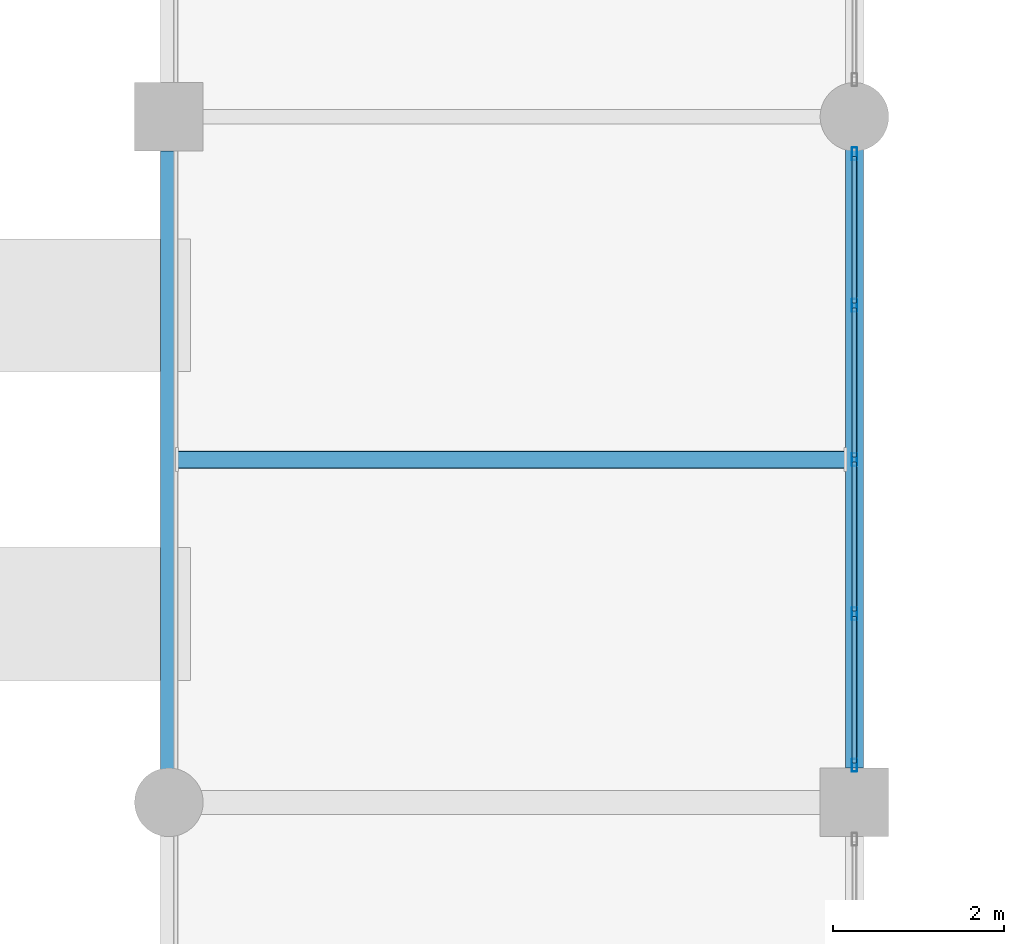
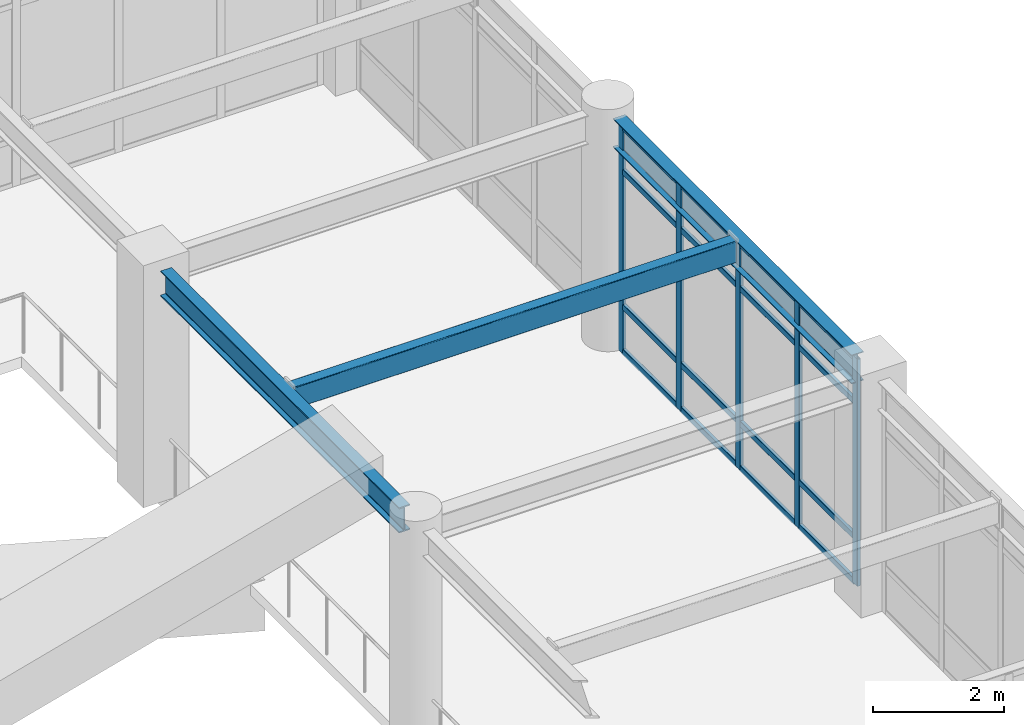
# One storey, part 30 of 93: 21 members, 3 beams, 1 element without a shape of its own.
"""IFC4 building model written with IfcOpenShell, lengths in metres."""

from ifc_helpers import new_model, si_unit, direction, frame, origin, origin_2d, place, context, subcontext, project, spatial, hollow_rectangle, i_section, extrude, material, material_profile, profile_set, type_object, element, aggregate, save


model = new_model("IFC4")

# Units and contexts
model_context = context("Model", 3, precision=1e-05, world=origin(), true_north=direction((0.0, 1.0)))
body_context = subcontext(model_context, "Body", "Model", "MODEL_VIEW")
ifc_project = project(units=[si_unit("LENGTHUNIT", "METRE"), si_unit("AREAUNIT", "SQUARE_METRE"), si_unit("VOLUMEUNIT", "CUBIC_METRE"), si_unit("PLANEANGLEUNIT", "RADIAN"), si_unit("MASSUNIT", "GRAM", prefix="KILO")], contexts=[model_context])

# Site, building, storey
site_placement = place(None, origin())
site = spatial("IfcSite", under=ifc_project, at=site_placement, CompositionType="ELEMENT")
building_placement = place(site_placement, origin())
building = spatial("IfcBuilding", under=site, at=building_placement, Name="Solmirada Galleria", CompositionType="ELEMENT")
storey_placement = place(building_placement, frame((0.0, 0.0, 14.89990234375)))
storey = spatial("IfcBuildingStorey", under=building, at=storey_placement, Name="L03", CompositionType="ELEMENT", Elevation=14.89990234375)

# Beams
ifc_material_1 = material(Name="Steel S355 / ASTM A992 Grade 50", Category="steel")
ifc_material_profile_1 = material_profile(ifc_material_1, i_section(OverallWidth=0.194091796875, OverallDepth=0.468994140625, WebThickness=0.0126953125, FlangeThickness=0.0205078125, FilletRadius=0.013916015625, at=origin_2d()), Name="W18X71")
ifc_profile_set_1 = profile_set([ifc_material_profile_1], Name="Steel S355 / ASTM A992 Grade 50")
beam_type_1 = type_object("IfcBeamType", Name="BM-GIRD-W18B", PredefinedType="BEAM", material=ifc_profile_set_1)
beam_1_placement = place(storey_placement, frame((104.0, 56.3359375, 4.065673828125), z_axis=(0.0, 1.0, 0.0), x_axis=(-1.0, 0.0, 0.0)))
element("IfcBeam", 1, at=beam_1_placement, inside=storey, type_object=beam_type_1, Name="Primary girder L04 Y(104, 56..64)", PredefinedType="BEAM", context=body_context, shape_type="SweptSolid", body=[
    extrude(i_section(OverallWidth=0.194091796875, OverallDepth=0.468994140625, WebThickness=0.0126953125, FlangeThickness=0.0205078125, FilletRadius=0.013916015625, at=origin_2d()), origin(), (0.0, 0.0, 1.0), 7.26416015625),
])
ifc_material_profile_2 = material_profile(ifc_material_1, i_section(OverallWidth=0.2099609375, OverallDepth=0.537109375, WebThickness=0.010986328125, FlangeThickness=0.017333984375, FilletRadius=0.014892578125, at=origin_2d()), Name="W21X68")
ifc_profile_set_2 = profile_set([ifc_material_profile_2], Name="Steel S355 / ASTM A992 Grade 50")
beam_type_2 = type_object("IfcBeamType", Name="BM-GIRD-W21B", PredefinedType="BEAM", material=ifc_profile_set_2)
beam_2_placement = place(storey_placement, frame((112.0, 56.39990234375, 4.031494140625), z_axis=(0.0, 1.0, 0.0), x_axis=(-1.0, 0.0, 0.0)))
element("IfcBeam", 2, at=beam_2_placement, inside=storey, type_object=beam_type_2, Name="Primary girder L04 Y(112, 56..64)", PredefinedType="BEAM", context=body_context, shape_type="SweptSolid", body=[
    extrude(i_section(OverallWidth=0.2099609375, OverallDepth=0.537109375, WebThickness=0.010986328125, FlangeThickness=0.017333984375, FilletRadius=0.014892578125, at=origin_2d()), origin(), (0.0, 0.0, 1.0), 7.26416015625),
])
ifc_material_2 = material(Name="Steel S355 / ASTM A500 Grade C", Category="steel")
ifc_material_profile_3 = material_profile(ifc_material_2, hollow_rectangle(XDim=0.202880859375, YDim=0.406005859375, WallThickness=0.01171875, InnerFilletRadius=0.01171875, OuterFilletRadius=0.023681640625, at=origin_2d()), Name="HSS16X8X1/2")
ifc_profile_set_3 = profile_set([ifc_material_profile_3], Name="Steel S355 / ASTM A500 Grade C")
beam_type_3 = type_object("IfcBeamType", Name="BM-JST-W16B", PredefinedType="JOIST", material=ifc_profile_set_3)
beam_3_placement = place(storey_placement, frame((104.096923828125, 60.0, 4.09716796875), z_axis=(1.0, 0.0, 0.0), x_axis=(0.0, 1.0, 0.0)))
element("IfcBeam", 3, at=beam_3_placement, inside=storey, type_object=beam_type_3, Name="Composite floor joist L04 (104..112, 60.0)", PredefinedType="JOIST", context=body_context, shape_type="SweptSolid", body=[
    extrude(hollow_rectangle(XDim=0.202880859375, YDim=0.406005859375, WallThickness=0.01171875, InnerFilletRadius=0.01171875, OuterFilletRadius=0.023681640625, at=origin_2d()), origin(), (0.0, 0.0, 1.0), 7.798095703125),
])

# Curtain wall, members
ifc_material_3 = material(Name="Impact-resistant low-E double glazing", Category="glass")
curtain_wall_type = type_object("IfcCurtainWallType", Name="CW-FZ3-L03-B4-L072", PredefinedType="NOTDEFINED", material=ifc_material_3)
curtain_wall_placement = place(storey_placement, origin())
curtain_wall = element("IfcCurtainWall", 4, at=curtain_wall_placement, inside=storey, type_object=curtain_wall_type, Name="Terrace and arcade storefront CW-L03-132", PredefinedType="NOTDEFINED")
ifc_material_4 = material(Name="Anodised aluminium framing", Category="aluminium")
ifc_material_profile_4 = material_profile(ifc_material_4, hollow_rectangle(XDim=0.06005859375, YDim=0.14990234375, WallThickness=0.00341796875, InnerFilletRadius=0.00341796875, OuterFilletRadius=0.007080078125, at=origin_2d()), Name="ALU-MULL-150X60")
ifc_profile_set_4 = profile_set([ifc_material_profile_4], Name="Anodised aluminium framing")
member_type_1 = type_object("IfcMemberType", Name="CW-MULL-150", PredefinedType="MULLION", material=ifc_profile_set_4)
member_1_placement = place(storey_placement, frame((112.0, 63.568115234375, 0.0), z_axis=(0.0, 0.0, 1.0), x_axis=(1.0, 0.0, 0.0)))
member_1 = element("IfcMember", 5, at=member_1_placement, type_object=member_type_1, Name="CW27 mullion 1", PredefinedType="MULLION", context=body_context, shape_type="SweptSolid", body=[
    extrude(hollow_rectangle(XDim=0.06005859375, YDim=0.14990234375, WallThickness=0.00341796875, InnerFilletRadius=0.00341796875, OuterFilletRadius=0.007080078125, at=origin_2d()), origin(), (0.0, 0.0, 1.0), 4.22021484375),
])
member_2_placement = place(storey_placement, frame((112.0, 61.799072265625, 0.0), z_axis=(0.0, 0.0, 1.0), x_axis=(1.0, 0.0, 0.0)))
member_2 = element("IfcMember", 6, at=member_2_placement, type_object=member_type_1, Name="CW27 mullion 2", PredefinedType="MULLION", context=body_context, shape_type="SweptSolid", body=[
    extrude(hollow_rectangle(XDim=0.06005859375, YDim=0.14990234375, WallThickness=0.00341796875, InnerFilletRadius=0.00341796875, OuterFilletRadius=0.007080078125, at=origin_2d()), origin(), (0.0, 0.0, 1.0), 4.22021484375),
])
member_3_placement = place(storey_placement, frame((112.0, 60.0, 0.0), z_axis=(0.0, 0.0, 1.0), x_axis=(1.0, 0.0, 0.0)))
member_3 = element("IfcMember", 7, at=member_3_placement, type_object=member_type_1, Name="CW27 mullion 3", PredefinedType="MULLION", context=body_context, shape_type="SweptSolid", body=[
    extrude(hollow_rectangle(XDim=0.06005859375, YDim=0.14990234375, WallThickness=0.00341796875, InnerFilletRadius=0.00341796875, OuterFilletRadius=0.007080078125, at=origin_2d()), origin(), (0.0, 0.0, 1.0), 4.22021484375),
])
member_4_placement = place(storey_placement, frame((112.0, 58.200927734375, 0.0), z_axis=(0.0, 0.0, 1.0), x_axis=(1.0, 0.0, 0.0)))
member_4 = element("IfcMember", 8, at=member_4_placement, type_object=member_type_1, Name="CW27 mullion 4", PredefinedType="MULLION", context=body_context, shape_type="SweptSolid", body=[
    extrude(hollow_rectangle(XDim=0.06005859375, YDim=0.14990234375, WallThickness=0.00341796875, InnerFilletRadius=0.00341796875, OuterFilletRadius=0.007080078125, at=origin_2d()), origin(), (0.0, 0.0, 1.0), 4.22021484375),
])
member_5_placement = place(storey_placement, frame((112.0, 56.431884765625, 0.0), z_axis=(0.0, 0.0, 1.0), x_axis=(1.0, 0.0, 0.0)))
member_5 = element("IfcMember", 9, at=member_5_placement, type_object=member_type_1, Name="CW27 mullion 5", PredefinedType="MULLION", context=body_context, shape_type="SweptSolid", body=[
    extrude(hollow_rectangle(XDim=0.06005859375, YDim=0.14990234375, WallThickness=0.00341796875, InnerFilletRadius=0.00341796875, OuterFilletRadius=0.007080078125, at=origin_2d()), origin(), (0.0, 0.0, 1.0), 4.22021484375),
])
ifc_material_profile_5 = material_profile(ifc_material_4, hollow_rectangle(XDim=0.06005859375, YDim=0.110107421875, WallThickness=0.003173828125, InnerFilletRadius=0.003173828125, OuterFilletRadius=0.00634765625, at=origin_2d()), Name="ALU-TRAN-110X60")
ifc_profile_set_5 = profile_set([ifc_material_profile_5], Name="Anodised aluminium framing")
member_type_2 = type_object("IfcMemberType", Name="CW-TRAN-110", PredefinedType="USERDEFINED", material=ifc_profile_set_5)
member_6_placement = place(storey_placement, frame((112.0, 63.5380859375, 0.030029296875), z_axis=(0.0, -1.0, 0.0), x_axis=(1.0, 0.0, 0.0)))
member_6 = element("IfcMember", 10, at=member_6_placement, type_object=member_type_2, Name="CW27 transom 1.1", ObjectType="TRANSOM", PredefinedType="USERDEFINED", context=body_context, shape_type="SweptSolid", body=[
    extrude(hollow_rectangle(XDim=0.06005859375, YDim=0.110107421875, WallThickness=0.003173828125, InnerFilletRadius=0.003173828125, OuterFilletRadius=0.00634765625, at=origin_2d()), origin(), (0.0, 0.0, 1.0), 1.708984375),
])
member_7_placement = place(storey_placement, frame((112.0, 63.5380859375, 0.860107421875), z_axis=(0.0, -1.0, 0.0), x_axis=(1.0, 0.0, 0.0)))
member_7 = element("IfcMember", 11, at=member_7_placement, type_object=member_type_2, Name="CW27 transom 1.2", ObjectType="TRANSOM", PredefinedType="USERDEFINED", context=body_context, shape_type="SweptSolid", body=[
    extrude(hollow_rectangle(XDim=0.06005859375, YDim=0.110107421875, WallThickness=0.003173828125, InnerFilletRadius=0.003173828125, OuterFilletRadius=0.00634765625, at=origin_2d()), origin(), (0.0, 0.0, 1.0), 1.708984375),
])
member_8_placement = place(storey_placement, frame((112.0, 63.5380859375, 3.3701171875), z_axis=(0.0, -1.0, 0.0), x_axis=(1.0, 0.0, 0.0)))
member_8 = element("IfcMember", 12, at=member_8_placement, type_object=member_type_2, Name="CW27 transom 1.3", ObjectType="TRANSOM", PredefinedType="USERDEFINED", context=body_context, shape_type="SweptSolid", body=[
    extrude(hollow_rectangle(XDim=0.06005859375, YDim=0.110107421875, WallThickness=0.003173828125, InnerFilletRadius=0.003173828125, OuterFilletRadius=0.00634765625, at=origin_2d()), origin(), (0.0, 0.0, 1.0), 1.708984375),
])
member_9_placement = place(storey_placement, frame((112.0, 63.5380859375, 4.190185546875), z_axis=(0.0, -1.0, 0.0), x_axis=(1.0, 0.0, 0.0)))
member_9 = element("IfcMember", 13, at=member_9_placement, type_object=member_type_2, Name="CW27 transom 1.4", ObjectType="TRANSOM", PredefinedType="USERDEFINED", context=body_context, shape_type="SweptSolid", body=[
    extrude(hollow_rectangle(XDim=0.06005859375, YDim=0.110107421875, WallThickness=0.003173828125, InnerFilletRadius=0.003173828125, OuterFilletRadius=0.00634765625, at=origin_2d()), origin(), (0.0, 0.0, 1.0), 1.708984375),
])
member_10_placement = place(storey_placement, frame((112.0, 61.76904296875, 0.030029296875), z_axis=(0.0, -1.0, 0.0), x_axis=(1.0, 0.0, 0.0)))
member_10 = element("IfcMember", 14, at=member_10_placement, type_object=member_type_2, Name="CW27 transom 2.1", ObjectType="TRANSOM", PredefinedType="USERDEFINED", context=body_context, shape_type="SweptSolid", body=[
    extrude(hollow_rectangle(XDim=0.06005859375, YDim=0.110107421875, WallThickness=0.003173828125, InnerFilletRadius=0.003173828125, OuterFilletRadius=0.00634765625, at=origin_2d()), origin(), (0.0, 0.0, 1.0), 1.739013671875),
])
member_11_placement = place(storey_placement, frame((112.0, 61.76904296875, 0.860107421875), z_axis=(0.0, -1.0, 0.0), x_axis=(1.0, 0.0, 0.0)))
member_11 = element("IfcMember", 15, at=member_11_placement, type_object=member_type_2, Name="CW27 transom 2.2", ObjectType="TRANSOM", PredefinedType="USERDEFINED", context=body_context, shape_type="SweptSolid", body=[
    extrude(hollow_rectangle(XDim=0.06005859375, YDim=0.110107421875, WallThickness=0.003173828125, InnerFilletRadius=0.003173828125, OuterFilletRadius=0.00634765625, at=origin_2d()), origin(), (0.0, 0.0, 1.0), 1.739013671875),
])
member_12_placement = place(storey_placement, frame((112.0, 61.76904296875, 3.3701171875), z_axis=(0.0, -1.0, 0.0), x_axis=(1.0, 0.0, 0.0)))
member_12 = element("IfcMember", 16, at=member_12_placement, type_object=member_type_2, Name="CW27 transom 2.3", ObjectType="TRANSOM", PredefinedType="USERDEFINED", context=body_context, shape_type="SweptSolid", body=[
    extrude(hollow_rectangle(XDim=0.06005859375, YDim=0.110107421875, WallThickness=0.003173828125, InnerFilletRadius=0.003173828125, OuterFilletRadius=0.00634765625, at=origin_2d()), origin(), (0.0, 0.0, 1.0), 1.739013671875),
])
member_13_placement = place(storey_placement, frame((112.0, 61.76904296875, 4.190185546875), z_axis=(0.0, -1.0, 0.0), x_axis=(1.0, 0.0, 0.0)))
member_13 = element("IfcMember", 17, at=member_13_placement, type_object=member_type_2, Name="CW27 transom 2.4", ObjectType="TRANSOM", PredefinedType="USERDEFINED", context=body_context, shape_type="SweptSolid", body=[
    extrude(hollow_rectangle(XDim=0.06005859375, YDim=0.110107421875, WallThickness=0.003173828125, InnerFilletRadius=0.003173828125, OuterFilletRadius=0.00634765625, at=origin_2d()), origin(), (0.0, 0.0, 1.0), 1.739013671875),
])
member_14_placement = place(storey_placement, frame((112.0, 59.969970703125, 0.030029296875), z_axis=(0.0, -1.0, 0.0), x_axis=(1.0, 0.0, 0.0)))
member_14 = element("IfcMember", 18, at=member_14_placement, type_object=member_type_2, Name="CW27 transom 3.1", ObjectType="TRANSOM", PredefinedType="USERDEFINED", context=body_context, shape_type="SweptSolid", body=[
    extrude(hollow_rectangle(XDim=0.06005859375, YDim=0.110107421875, WallThickness=0.003173828125, InnerFilletRadius=0.003173828125, OuterFilletRadius=0.00634765625, at=origin_2d()), origin(), (0.0, 0.0, 1.0), 1.739013671875),
])
member_15_placement = place(storey_placement, frame((112.0, 59.969970703125, 0.860107421875), z_axis=(0.0, -1.0, 0.0), x_axis=(1.0, 0.0, 0.0)))
member_15 = element("IfcMember", 19, at=member_15_placement, type_object=member_type_2, Name="CW27 transom 3.2", ObjectType="TRANSOM", PredefinedType="USERDEFINED", context=body_context, shape_type="SweptSolid", body=[
    extrude(hollow_rectangle(XDim=0.06005859375, YDim=0.110107421875, WallThickness=0.003173828125, InnerFilletRadius=0.003173828125, OuterFilletRadius=0.00634765625, at=origin_2d()), origin(), (0.0, 0.0, 1.0), 1.739013671875),
])
member_16_placement = place(storey_placement, frame((112.0, 59.969970703125, 3.3701171875), z_axis=(0.0, -1.0, 0.0), x_axis=(1.0, 0.0, 0.0)))
member_16 = element("IfcMember", 20, at=member_16_placement, type_object=member_type_2, Name="CW27 transom 3.3", ObjectType="TRANSOM", PredefinedType="USERDEFINED", context=body_context, shape_type="SweptSolid", body=[
    extrude(hollow_rectangle(XDim=0.06005859375, YDim=0.110107421875, WallThickness=0.003173828125, InnerFilletRadius=0.003173828125, OuterFilletRadius=0.00634765625, at=origin_2d()), origin(), (0.0, 0.0, 1.0), 1.739013671875),
])
member_17_placement = place(storey_placement, frame((112.0, 59.969970703125, 4.190185546875), z_axis=(0.0, -1.0, 0.0), x_axis=(1.0, 0.0, 0.0)))
member_17 = element("IfcMember", 21, at=member_17_placement, type_object=member_type_2, Name="CW27 transom 3.4", ObjectType="TRANSOM", PredefinedType="USERDEFINED", context=body_context, shape_type="SweptSolid", body=[
    extrude(hollow_rectangle(XDim=0.06005859375, YDim=0.110107421875, WallThickness=0.003173828125, InnerFilletRadius=0.003173828125, OuterFilletRadius=0.00634765625, at=origin_2d()), origin(), (0.0, 0.0, 1.0), 1.739013671875),
])
member_18_placement = place(storey_placement, frame((112.0, 58.1708984375, 0.030029296875), z_axis=(0.0, -1.0, 0.0), x_axis=(1.0, 0.0, 0.0)))
member_18 = element("IfcMember", 22, at=member_18_placement, type_object=member_type_2, Name="CW27 transom 4.1", ObjectType="TRANSOM", PredefinedType="USERDEFINED", context=body_context, shape_type="SweptSolid", body=[
    extrude(hollow_rectangle(XDim=0.06005859375, YDim=0.110107421875, WallThickness=0.003173828125, InnerFilletRadius=0.003173828125, OuterFilletRadius=0.00634765625, at=origin_2d()), origin(), (0.0, 0.0, 1.0), 1.708984375),
])
member_19_placement = place(storey_placement, frame((112.0, 58.1708984375, 0.860107421875), z_axis=(0.0, -1.0, 0.0), x_axis=(1.0, 0.0, 0.0)))
member_19 = element("IfcMember", 23, at=member_19_placement, type_object=member_type_2, Name="CW27 transom 4.2", ObjectType="TRANSOM", PredefinedType="USERDEFINED", context=body_context, shape_type="SweptSolid", body=[
    extrude(hollow_rectangle(XDim=0.06005859375, YDim=0.110107421875, WallThickness=0.003173828125, InnerFilletRadius=0.003173828125, OuterFilletRadius=0.00634765625, at=origin_2d()), origin(), (0.0, 0.0, 1.0), 1.708984375),
])
member_20_placement = place(storey_placement, frame((112.0, 58.1708984375, 3.3701171875), z_axis=(0.0, -1.0, 0.0), x_axis=(1.0, 0.0, 0.0)))
member_20 = element("IfcMember", 24, at=member_20_placement, type_object=member_type_2, Name="CW27 transom 4.3", ObjectType="TRANSOM", PredefinedType="USERDEFINED", context=body_context, shape_type="SweptSolid", body=[
    extrude(hollow_rectangle(XDim=0.06005859375, YDim=0.110107421875, WallThickness=0.003173828125, InnerFilletRadius=0.003173828125, OuterFilletRadius=0.00634765625, at=origin_2d()), origin(), (0.0, 0.0, 1.0), 1.708984375),
])
member_21_placement = place(storey_placement, frame((112.0, 58.1708984375, 4.190185546875), z_axis=(0.0, -1.0, 0.0), x_axis=(1.0, 0.0, 0.0)))
member_21 = element("IfcMember", 25, at=member_21_placement, type_object=member_type_2, Name="CW27 transom 4.4", ObjectType="TRANSOM", PredefinedType="USERDEFINED", context=body_context, shape_type="SweptSolid", body=[
    extrude(hollow_rectangle(XDim=0.06005859375, YDim=0.110107421875, WallThickness=0.003173828125, InnerFilletRadius=0.003173828125, OuterFilletRadius=0.00634765625, at=origin_2d()), origin(), (0.0, 0.0, 1.0), 1.708984375),
])
aggregate(curtain_wall, [member_1, member_2, member_3, member_4, member_5, member_6, member_7, member_8, member_9, member_10, member_11, member_12, member_13, member_14, member_15, member_16, member_17, member_18, member_19, member_20, member_21])

save(model, "model.ifc")
